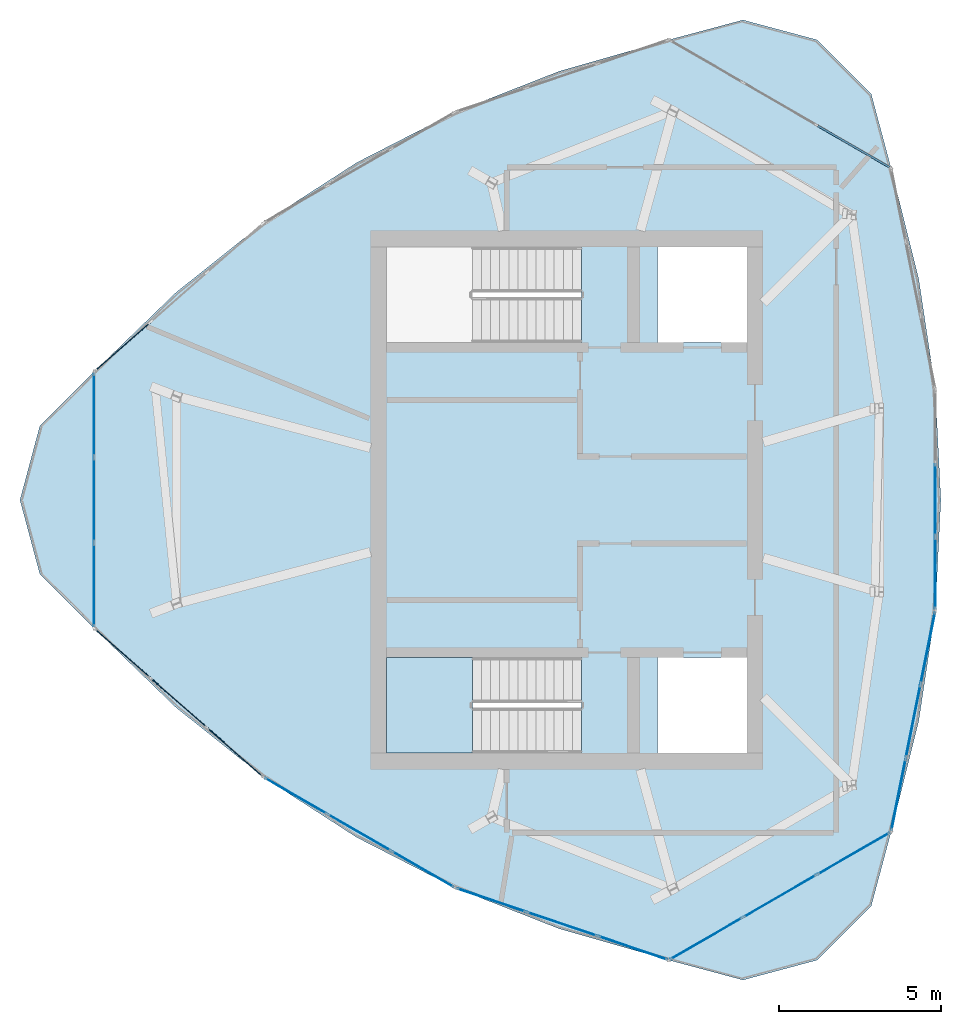
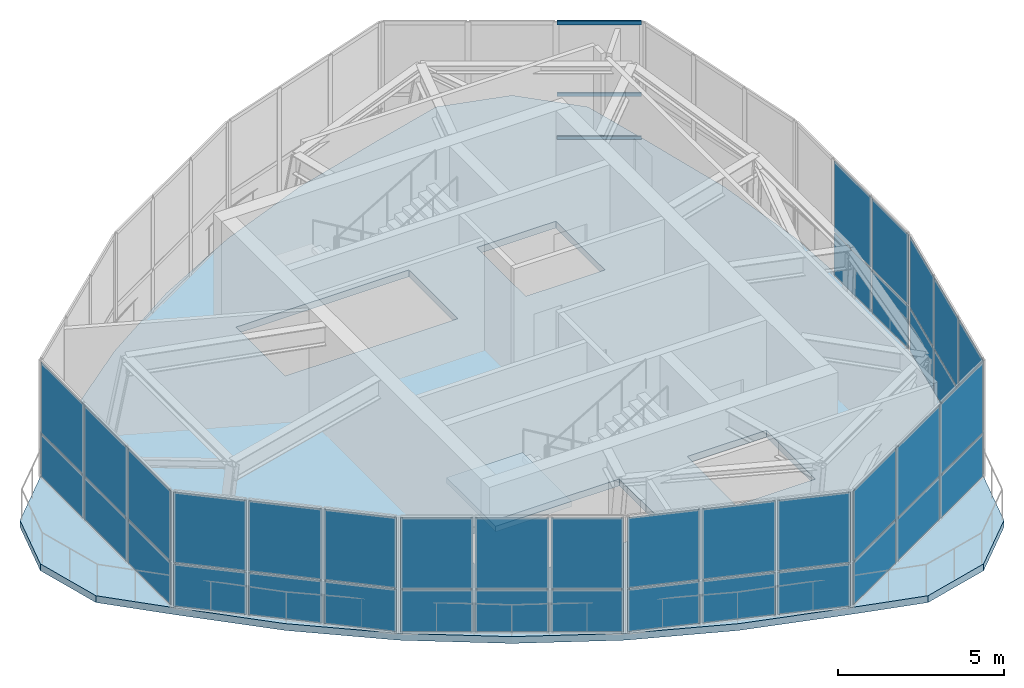
# One storey, part 5 of 9: 41 plates, 3 members, 2 slabs, 10 elements without a shape of their own.
"""IFC4 building model written with IfcOpenShell, lengths in metres."""

from ifc_helpers import new_model, si_unit, direction, frame, origin, origin_2d, place, context, subcontext, project, spatial, polyline, rectangle, outline, extrude, source, transform, mapped, material, layer, layer_set, material_profile, profile_set, type_object, element, aggregate, save


model = new_model("IFC4")

# Units and contexts
model_context = context("Model", 3, precision=1e-05, world=origin(), true_north=direction((0.0, 1.0)))
body_context = subcontext(model_context, "Body", "Model", "MODEL_VIEW")
ifc_project = project(units=[si_unit("LENGTHUNIT", "METRE"), si_unit("AREAUNIT", "SQUARE_METRE"), si_unit("VOLUMEUNIT", "CUBIC_METRE"), si_unit("PLANEANGLEUNIT", "RADIAN"), si_unit("MASSUNIT", "GRAM", prefix="KILO")], contexts=[model_context])

# Site, building, storey
site_placement = place(None, origin())
site = spatial("IfcSite", under=ifc_project, at=site_placement, CompositionType="ELEMENT")
building_placement = place(site_placement, origin())
building = spatial("IfcBuilding", under=site, at=building_placement, Name="Qafzar Sky-Pleat Residences", CompositionType="ELEMENT")
storey_placement = place(building_placement, frame((0.0, 0.0, 266.10009765625)))
storey = spatial("IfcBuildingStorey", under=building, at=storey_placement, Name="L79 Crown", CompositionType="ELEMENT", Elevation=266.10009765625)

# Curtain wall, members
ifc_material_1 = material(Name="Anodised bronze aluminium framing", Category="aluminium")
ifc_layer_1 = layer(ifc_material_1, 0.179931640625)
ifc_layer_set_1 = layer_set([ifc_layer_1], Name="Anodised bronze aluminium framing")
curtain_wall_type = type_object("IfcCurtainWallType", Name="CW-SYS-06", PredefinedType="NOTDEFINED", material=ifc_layer_set_1)
curtain_wall_1_placement = place(storey_placement, origin())
curtain_wall_1 = element("IfcCurtainWall", 1, at=curtain_wall_1_placement, inside=storey, type_object=curtain_wall_type, Name="L79 Crown CW-06 Curtain Wall CW-CROWN-04-09", PredefinedType="NOTDEFINED")
ifc_material_2 = material(Name="Anodised bronze aluminium", Category="aluminium")
ifc_material_profile = material_profile(ifc_material_2, rectangle(XDim=0.06005859375, YDim=0.135009765625, at=origin_2d()), Name="ALU TRANSOM 60x135")
ifc_profile_set = profile_set([ifc_material_profile], Name="Anodised bronze aluminium")
member_type = type_object("IfcMemberType", Name="CWT-06", PredefinedType="USERDEFINED", material=ifc_profile_set)
shared_shape_1 = source(origin(), body_context, "Body", "SweptSolid", [
    extrude(rectangle(XDim=0.06005859375, YDim=0.135009765625, at=origin_2d()), origin(), (0.0, 0.0, 1.0), 2.544189453125),
])
member_1_placement = place(storey_placement, frame((40.2861328125, 36.2548828125, 0.02978515625), z_axis=(-0.866049759928, 0.499957811549, 0.0), x_axis=(-0.499957811549, -0.866049759928, 0.0)))
member_1 = element("IfcMember", 2, at=member_1_placement, type_object=member_type, Name="CW-06 transom 1.1", ObjectType="TRANSOM", PredefinedType="USERDEFINED", context=body_context, shape_type="MappedRepresentation", body=[
    mapped(shared_shape_1, transform((0.0, 0.0, 0.0), x_axis=(1.0, 0.0, 0.0), y_axis=(0.0, 1.0, 0.0), z_axis=(0.0, 0.0, 1.0), scale=1.0)),
])
member_2_placement = place(storey_placement, frame((40.2861328125, 36.2548828125, 1.6337890625), z_axis=(-0.866049759928, 0.499957811549, 0.0), x_axis=(-0.499957811549, -0.866049759928, 0.0)))
member_2 = element("IfcMember", 3, at=member_2_placement, type_object=member_type, Name="CW-06 transom 1.2", ObjectType="TRANSOM", PredefinedType="USERDEFINED", context=body_context, shape_type="MappedRepresentation", body=[
    mapped(shared_shape_1, transform((0.0, 0.0, 0.0), x_axis=(1.0, 0.0, 0.0), y_axis=(0.0, 1.0, 0.0), z_axis=(0.0, 0.0, 1.0), scale=1.0)),
])
member_3_placement = place(storey_placement, frame((40.2861328125, 36.2548828125, 4.27001953125), z_axis=(-0.866049759928, 0.499957811549, 0.0), x_axis=(-0.499957811549, -0.866049759928, 0.0)))
member_3 = element("IfcMember", 4, at=member_3_placement, type_object=member_type, Name="CW-06 transom 1.3", ObjectType="TRANSOM", PredefinedType="USERDEFINED", context=body_context, shape_type="MappedRepresentation", body=[
    mapped(shared_shape_1, transform((0.0, 0.0, 0.0), x_axis=(1.0, 0.0, 0.0), y_axis=(0.0, 1.0, 0.0), z_axis=(0.0, 0.0, 1.0), scale=1.0)),
])
aggregate(curtain_wall_1, [member_1, member_2, member_3])

# Slab
ifc_material_3 = material(Name="Concrete C40/50", Category="concrete")
ifc_layer_2 = layer(ifc_material_3, 0.25)
ifc_layer_set_2 = layer_set([ifc_layer_2], Name="Concrete C40/50")
slab_type_1 = type_object("IfcSlabType", Name="SLAB-FLR-250", PredefinedType="FLOOR", material=ifc_layer_set_2)
slab_1_placement = place(storey_placement, frame((0.0, 0.0, -0.25)))
element("IfcSlab", 5, at=slab_1_placement, inside=storey, type_object=slab_type_1, Name="L79 Crown Crown Plant Floor Slab", PredefinedType="FLOOR", context=body_context, shape_type="SweptSolid", body=[
    extrude(outline(polyline([(15.783935546875, 29.951416015625), (14.114013671875, 28.28125), (13.502685546875, 26.0), (14.114013671875, 23.71875), (15.783935546875, 22.048583984375), (18.309814453125, 19.606689453125), (21.005615234375, 17.459716796875), (23.8720703125, 15.60791015625), (26.908935546875, 14.051513671875), (30.1162109375, 12.7900390625), (33.493896484375, 11.82373046875), (35.775390625, 11.21240234375), (38.056640625, 11.82373046875), (39.726806640625, 13.493896484375), (40.337890625, 15.775146484375), (41.18994140625, 19.183349609375), (41.701416015625, 22.591796875), (41.87158203125, 26.0), (41.701416015625, 29.408203125), (41.18994140625, 32.816650390625), (40.337890625, 36.224853515625), (39.726806640625, 38.506103515625), (38.056640625, 40.17626953125), (35.775390625, 40.78759765625), (33.493896484375, 40.17626953125), (30.1162109375, 39.2099609375), (26.908935546875, 37.948486328125), (23.8720703125, 36.39208984375), (21.005615234375, 34.540283203125), (18.309814453125, 32.393310546875), (15.783935546875, 29.951416015625)]), holes=[polyline([(30.797119140625, 21.14990234375), (24.800048828125, 21.14990234375), (24.800048828125, 18.199951171875), (30.797119140625, 18.199951171875), (30.797119140625, 21.14990234375)]), polyline([(30.797119140625, 33.800048828125), (24.800048828125, 33.800048828125), (24.800048828125, 30.85009765625), (30.797119140625, 30.85009765625), (30.797119140625, 33.800048828125)]), polyline([(33.14990234375, 18.199951171875), (35.89990234375, 18.199951171875), (35.89990234375, 21.14990234375), (33.14990234375, 21.14990234375), (33.14990234375, 18.199951171875)]), polyline([(33.14990234375, 30.85009765625), (35.89990234375, 30.85009765625), (35.89990234375, 33.800048828125), (33.14990234375, 33.800048828125), (33.14990234375, 30.85009765625)])]), origin(), (0.0, 0.0, 1.0), 0.25),
])

# Stair, slab
stair_type = type_object("IfcStairType", Name="STAIR-H430", PredefinedType="HALF_TURN_STAIR", material=ifc_material_3)
stair_placement = place(storey_placement, origin())
stair = element("IfcStair", 6, at=stair_placement, inside=storey, type_object=stair_type, Name="L79 Crown Protected Exit Stair ST1", PredefinedType="HALF_TURN_STAIR")
ifc_layer_3 = layer(ifc_material_3, 0.199951171875)
ifc_layer_set_3 = layer_set([ifc_layer_3], Name="Concrete C40/50")
slab_type_2 = type_object("IfcSlabType", Name="SLAB-LANDING-200", PredefinedType="LANDING", material=ifc_layer_set_3)
slab_2_placement = place(storey_placement, frame((0.0, 0.0, 1.949951171875)))
slab_2 = element("IfcSlab", 7, at=slab_2_placement, type_object=slab_type_2, Name="ST1 landing 1", PredefinedType="LANDING", context=body_context, shape_type="SweptSolid", body=[
    extrude(outline(polyline([(27.43994140625, 21.14990234375), (24.800048828125, 21.14990234375), (24.800048828125, 18.199951171875), (27.43994140625, 18.199951171875), (27.43994140625, 21.14990234375)])), origin(), (0.0, 0.0, 1.0), 0.199951171875),
])
aggregate(stair, [slab_2])

# Curtain wall, plates
curtain_wall_2_placement = place(storey_placement, origin())
curtain_wall_2 = element("IfcCurtainWall", 8, at=curtain_wall_2_placement, inside=storey, type_object=curtain_wall_type, Name="L79 Crown CW-06 Curtain Wall CW-CROWN-04-01", PredefinedType="NOTDEFINED")
ifc_material_4 = material(Name="Solar-control double low-E glazing", Category="glass")
ifc_layer_4 = layer(ifc_material_4, 0.02587890625)
ifc_layer_set_4 = layer_set([ifc_layer_4], Name="Solar-control double low-E glazing")
plate_type = type_object("IfcPlateType", Name="CWP-06", PredefinedType="CURTAIN_PANEL", material=ifc_layer_set_4)
shared_shape_2 = source(origin(), body_context, "Body", "SweptSolid", [
    extrude(rectangle(XDim=2.544189453125, YDim=0.02587890625, at=origin_2d()), origin(), (0.0, 0.0, 1.0), 1.5439453125),
])
plate_1_placement = place(storey_placement, frame((15.783935546875, 28.619384765625, 0.059814453125), z_axis=(0.0, 0.0, 1.0), x_axis=(0.0, -1.0, 0.0)))
plate_1 = element("IfcPlate", 9, at=plate_1_placement, type_object=plate_type, Name="CW-06 panel 1.1", PredefinedType="CURTAIN_PANEL", context=body_context, shape_type="MappedRepresentation", body=[
    mapped(shared_shape_2, transform((0.0, 0.0, 0.0), x_axis=(1.0, 0.0, 0.0), y_axis=(0.0, 1.0, 0.0), z_axis=(0.0, 0.0, 1.0), scale=1.0)),
])
plate_2_placement = place(storey_placement, frame((15.783935546875, 23.380615234375, 0.059814453125), z_axis=(0.0, 0.0, 1.0), x_axis=(0.0, -1.0, 0.0)))
plate_2 = element("IfcPlate", 10, at=plate_2_placement, type_object=plate_type, Name="CW-06 panel 3.1", PredefinedType="CURTAIN_PANEL", context=body_context, shape_type="MappedRepresentation", body=[
    mapped(shared_shape_2, transform((0.0, 0.0, 0.0), x_axis=(1.0, 0.0, 0.0), y_axis=(0.0, 1.0, 0.0), z_axis=(0.0, 0.0, 1.0), scale=1.0)),
])

curtain_wall_3_placement = place(storey_placement, origin())
curtain_wall_3 = element("IfcCurtainWall", 11, at=curtain_wall_3_placement, inside=storey, type_object=curtain_wall_type, Name="L79 Crown CW-06 Curtain Wall CW-CROWN-04-05", PredefinedType="NOTDEFINED")
plate_3_placement = place(storey_placement, frame((34.647705078125, 12.48974609375, 0.059814453125), z_axis=(0.0, 0.0, 1.0), x_axis=(0.866024595172, 0.500001400555, 0.0)))
plate_3 = element("IfcPlate", 12, at=plate_3_placement, type_object=plate_type, Name="CW-06 panel 1.1", PredefinedType="CURTAIN_PANEL", context=body_context, shape_type="MappedRepresentation", body=[
    mapped(shared_shape_2, transform((0.0, 0.0, 0.0), x_axis=(1.0, 0.0, 0.0), y_axis=(0.0, 1.0, 0.0), z_axis=(0.0, 0.0, 1.0), scale=1.0)),
])
plate_4_placement = place(storey_placement, frame((39.184326171875, 15.109130859375, 0.059814453125), z_axis=(0.0, 0.0, 1.0), x_axis=(0.866024595172, 0.500001400555, 0.0)))
plate_4 = element("IfcPlate", 13, at=plate_4_placement, type_object=plate_type, Name="CW-06 panel 3.1", PredefinedType="CURTAIN_PANEL", context=body_context, shape_type="MappedRepresentation", body=[
    mapped(shared_shape_2, transform((0.0, 0.0, 0.0), x_axis=(1.0, 0.0, 0.0), y_axis=(0.0, 1.0, 0.0), z_axis=(0.0, 0.0, 1.0), scale=1.0)),
])

# Plate
shared_shape_3 = source(origin(), body_context, "Body", "SweptSolid", [
    extrude(rectangle(XDim=2.544189453125, YDim=0.02587890625, at=origin_2d()), origin(), (0.0, 0.0, 1.0), 2.575927734375),
])
plate_5_placement = place(storey_placement, frame((15.783935546875, 28.619384765625, 1.6640625), z_axis=(0.0, 0.0, 1.0), x_axis=(0.0, -1.0, 0.0)))
plate_5 = element("IfcPlate", 14, at=plate_5_placement, type_object=plate_type, Name="CW-06 panel 1.2", PredefinedType="CURTAIN_PANEL", context=body_context, shape_type="MappedRepresentation", body=[
    mapped(shared_shape_3, transform((0.0, 0.0, 0.0), x_axis=(1.0, 0.0, 0.0), y_axis=(0.0, 1.0, 0.0), z_axis=(0.0, 0.0, 1.0), scale=1.0)),
])

plate_6_placement = place(storey_placement, frame((15.783935546875, 23.380615234375, 1.6640625), z_axis=(0.0, 0.0, 1.0), x_axis=(0.0, -1.0, 0.0)))
plate_6 = element("IfcPlate", 15, at=plate_6_placement, type_object=plate_type, Name="CW-06 panel 3.2", PredefinedType="CURTAIN_PANEL", context=body_context, shape_type="MappedRepresentation", body=[
    mapped(shared_shape_3, transform((0.0, 0.0, 0.0), x_axis=(1.0, 0.0, 0.0), y_axis=(0.0, 1.0, 0.0), z_axis=(0.0, 0.0, 1.0), scale=1.0)),
])

plate_7_placement = place(storey_placement, frame((34.647705078125, 12.48974609375, 1.6640625), z_axis=(0.0, 0.0, 1.0), x_axis=(0.866024595172, 0.500001400555, 0.0)))
plate_7 = element("IfcPlate", 16, at=plate_7_placement, type_object=plate_type, Name="CW-06 panel 1.2", PredefinedType="CURTAIN_PANEL", context=body_context, shape_type="MappedRepresentation", body=[
    mapped(shared_shape_3, transform((0.0, 0.0, 0.0), x_axis=(1.0, 0.0, 0.0), y_axis=(0.0, 1.0, 0.0), z_axis=(0.0, 0.0, 1.0), scale=1.0)),
])

plate_8_placement = place(storey_placement, frame((39.184326171875, 15.109130859375, 1.6640625), z_axis=(0.0, 0.0, 1.0), x_axis=(0.866024595172, 0.500001400555, 0.0)))
plate_8 = element("IfcPlate", 17, at=plate_8_placement, type_object=plate_type, Name="CW-06 panel 3.2", PredefinedType="CURTAIN_PANEL", context=body_context, shape_type="MappedRepresentation", body=[
    mapped(shared_shape_3, transform((0.0, 0.0, 0.0), x_axis=(1.0, 0.0, 0.0), y_axis=(0.0, 1.0, 0.0), z_axis=(0.0, 0.0, 1.0), scale=1.0)),
])

shared_shape_4 = source(origin(), body_context, "Body", "SweptSolid", [
    extrude(rectangle(XDim=2.57421875, YDim=0.02587890625, at=origin_2d()), origin(), (0.0, 0.0, 1.0), 1.5439453125),
])
plate_9_placement = place(storey_placement, frame((15.783935546875, 26.0, 0.059814453125), z_axis=(0.0, 0.0, 1.0), x_axis=(0.0, -1.0, 0.0)))
plate_9 = element("IfcPlate", 18, at=plate_9_placement, type_object=plate_type, Name="CW-06 panel 2.1", PredefinedType="CURTAIN_PANEL", context=body_context, shape_type="MappedRepresentation", body=[
    mapped(shared_shape_4, transform((0.0, 0.0, 0.0), x_axis=(1.0, 0.0, 0.0), y_axis=(0.0, 1.0, 0.0), z_axis=(0.0, 0.0, 1.0), scale=1.0)),
])

plate_10_placement = place(storey_placement, frame((36.916015625, 13.799560546875, 0.059814453125), z_axis=(0.0, 0.0, 1.0), x_axis=(0.866024595172, 0.500001400555, 0.0)))
plate_10 = element("IfcPlate", 19, at=plate_10_placement, type_object=plate_type, Name="CW-06 panel 2.1", PredefinedType="CURTAIN_PANEL", context=body_context, shape_type="MappedRepresentation", body=[
    mapped(shared_shape_4, transform((0.0, 0.0, 0.0), x_axis=(1.0, 0.0, 0.0), y_axis=(0.0, 1.0, 0.0), z_axis=(0.0, 0.0, 1.0), scale=1.0)),
])

shared_shape_5 = source(origin(), body_context, "Body", "SweptSolid", [
    extrude(rectangle(XDim=2.57421875, YDim=0.02587890625, at=origin_2d()), origin(), (0.0, 0.0, 1.0), 2.575927734375),
])
plate_11_placement = place(storey_placement, frame((15.783935546875, 26.0, 1.6640625), z_axis=(0.0, 0.0, 1.0), x_axis=(0.0, -1.0, 0.0)))
plate_11 = element("IfcPlate", 20, at=plate_11_placement, type_object=plate_type, Name="CW-06 panel 2.2", PredefinedType="CURTAIN_PANEL", context=body_context, shape_type="MappedRepresentation", body=[
    mapped(shared_shape_5, transform((0.0, 0.0, 0.0), x_axis=(1.0, 0.0, 0.0), y_axis=(0.0, 1.0, 0.0), z_axis=(0.0, 0.0, 1.0), scale=1.0)),
])

aggregate(curtain_wall_2, [plate_1, plate_5, plate_9, plate_11, plate_2, plate_6])

plate_12_placement = place(storey_placement, frame((36.916015625, 13.799560546875, 1.6640625), z_axis=(0.0, 0.0, 1.0), x_axis=(0.866024595172, 0.500001400555, 0.0)))
plate_12 = element("IfcPlate", 21, at=plate_12_placement, type_object=plate_type, Name="CW-06 panel 2.2", PredefinedType="CURTAIN_PANEL", context=body_context, shape_type="MappedRepresentation", body=[
    mapped(shared_shape_5, transform((0.0, 0.0, 0.0), x_axis=(1.0, 0.0, 0.0), y_axis=(0.0, 1.0, 0.0), z_axis=(0.0, 0.0, 1.0), scale=1.0)),
])

aggregate(curtain_wall_3, [plate_3, plate_7, plate_10, plate_12, plate_4, plate_8])

# Curtain wall, plates
curtain_wall_4_placement = place(storey_placement, origin())
curtain_wall_4 = element("IfcCurtainWall", 22, at=curtain_wall_4_placement, inside=storey, type_object=curtain_wall_type, Name="L79 Crown CW-06 Curtain Wall CW-CROWN-04-02", PredefinedType="NOTDEFINED")
shared_shape_6 = source(origin(), body_context, "Body", "SweptSolid", [
    extrude(rectangle(XDim=2.227294921875, YDim=0.02587890625, at=origin_2d()), origin(), (0.0, 0.0, 1.0), 1.5439453125),
])
plate_13_placement = place(storey_placement, frame((16.66552734375, 21.27392578125, 0.059814453125), z_axis=(0.0, 0.0, 1.0), x_axis=(0.751155387696, -0.660125430154, 0.0)))
plate_13 = element("IfcPlate", 23, at=plate_13_placement, type_object=plate_type, Name="CW-06 panel 1.1", PredefinedType="CURTAIN_PANEL", context=body_context, shape_type="MappedRepresentation", body=[
    mapped(shared_shape_6, transform((0.0, 0.0, 0.0), x_axis=(1.0, 0.0, 0.0), y_axis=(0.0, 1.0, 0.0), z_axis=(0.0, 0.0, 1.0), scale=1.0)),
])
plate_14_placement = place(storey_placement, frame((20.124267578125, 18.234375, 0.059814453125), z_axis=(0.0, 0.0, 1.0), x_axis=(0.751155387696, -0.660125430154, 0.0)))
plate_14 = element("IfcPlate", 24, at=plate_14_placement, type_object=plate_type, Name="CW-06 panel 3.1", PredefinedType="CURTAIN_PANEL", context=body_context, shape_type="MappedRepresentation", body=[
    mapped(shared_shape_6, transform((0.0, 0.0, 0.0), x_axis=(1.0, 0.0, 0.0), y_axis=(0.0, 1.0, 0.0), z_axis=(0.0, 0.0, 1.0), scale=1.0)),
])

curtain_wall_5_placement = place(storey_placement, origin())
curtain_wall_5 = element("IfcCurtainWall", 25, at=curtain_wall_5_placement, inside=storey, type_object=curtain_wall_type, Name="L79 Crown CW-06 Curtain Wall CW-CROWN-04-04", PredefinedType="NOTDEFINED")
plate_15_placement = place(storey_placement, frame((28.020751953125, 13.67529296875, 0.059814453125), z_axis=(0.0, 0.0, 1.0), x_axis=(0.947267034417, -0.320445261328, 0.0)))
plate_15 = element("IfcPlate", 26, at=plate_15_placement, type_object=plate_type, Name="CW-06 panel 1.1", PredefinedType="CURTAIN_PANEL", context=body_context, shape_type="MappedRepresentation", body=[
    mapped(shared_shape_6, transform((0.0, 0.0, 0.0), x_axis=(1.0, 0.0, 0.0), y_axis=(0.0, 1.0, 0.0), z_axis=(0.0, 0.0, 1.0), scale=1.0)),
])
plate_16_placement = place(storey_placement, frame((32.38232421875, 12.199951171875, 0.059814453125), z_axis=(0.0, 0.0, 1.0), x_axis=(0.947267034417, -0.320445261328, 0.0)))
plate_16 = element("IfcPlate", 27, at=plate_16_placement, type_object=plate_type, Name="CW-06 panel 3.1", PredefinedType="CURTAIN_PANEL", context=body_context, shape_type="MappedRepresentation", body=[
    mapped(shared_shape_6, transform((0.0, 0.0, 0.0), x_axis=(1.0, 0.0, 0.0), y_axis=(0.0, 1.0, 0.0), z_axis=(0.0, 0.0, 1.0), scale=1.0)),
])

# Curtain wall, plate
curtain_wall_6_placement = place(storey_placement, origin())
curtain_wall_6 = element("IfcCurtainWall", 28, at=curtain_wall_6_placement, inside=storey, type_object=curtain_wall_type, Name="L79 Crown CW-06 Curtain Wall CW-CROWN-04-12", PredefinedType="NOTDEFINED")
plate_17_placement = place(storey_placement, frame((16.66552734375, 30.72607421875, 0.059814453125), z_axis=(0.0, 0.0, 1.0), x_axis=(-0.751155387696, -0.660125430154, 0.0)))
plate_17 = element("IfcPlate", 29, at=plate_17_placement, type_object=plate_type, Name="CW-06 panel 3.1", PredefinedType="CURTAIN_PANEL", context=body_context, shape_type="MappedRepresentation", body=[
    mapped(shared_shape_6, transform((0.0, 0.0, 0.0), x_axis=(1.0, 0.0, 0.0), y_axis=(0.0, 1.0, 0.0), z_axis=(0.0, 0.0, 1.0), scale=1.0)),
])
aggregate(curtain_wall_6, [plate_17])

# Plate
shared_shape_7 = source(origin(), body_context, "Body", "SweptSolid", [
    extrude(rectangle(XDim=2.227294921875, YDim=0.02587890625, at=origin_2d()), origin(), (0.0, 0.0, 1.0), 2.575927734375),
])
plate_18_placement = place(storey_placement, frame((16.66552734375, 21.27392578125, 1.6640625), z_axis=(0.0, 0.0, 1.0), x_axis=(0.751155387696, -0.660125430154, 0.0)))
plate_18 = element("IfcPlate", 30, at=plate_18_placement, type_object=plate_type, Name="CW-06 panel 1.2", PredefinedType="CURTAIN_PANEL", context=body_context, shape_type="MappedRepresentation", body=[
    mapped(shared_shape_7, transform((0.0, 0.0, 0.0), x_axis=(1.0, 0.0, 0.0), y_axis=(0.0, 1.0, 0.0), z_axis=(0.0, 0.0, 1.0), scale=1.0)),
])

plate_19_placement = place(storey_placement, frame((20.124267578125, 18.234375, 1.6640625), z_axis=(0.0, 0.0, 1.0), x_axis=(0.751155387696, -0.660125430154, 0.0)))
plate_19 = element("IfcPlate", 31, at=plate_19_placement, type_object=plate_type, Name="CW-06 panel 3.2", PredefinedType="CURTAIN_PANEL", context=body_context, shape_type="MappedRepresentation", body=[
    mapped(shared_shape_7, transform((0.0, 0.0, 0.0), x_axis=(1.0, 0.0, 0.0), y_axis=(0.0, 1.0, 0.0), z_axis=(0.0, 0.0, 1.0), scale=1.0)),
])

plate_20_placement = place(storey_placement, frame((28.020751953125, 13.67529296875, 1.6640625), z_axis=(0.0, 0.0, 1.0), x_axis=(0.947267034417, -0.320445261328, 0.0)))
plate_20 = element("IfcPlate", 32, at=plate_20_placement, type_object=plate_type, Name="CW-06 panel 1.2", PredefinedType="CURTAIN_PANEL", context=body_context, shape_type="MappedRepresentation", body=[
    mapped(shared_shape_7, transform((0.0, 0.0, 0.0), x_axis=(1.0, 0.0, 0.0), y_axis=(0.0, 1.0, 0.0), z_axis=(0.0, 0.0, 1.0), scale=1.0)),
])

plate_21_placement = place(storey_placement, frame((32.38232421875, 12.199951171875, 1.6640625), z_axis=(0.0, 0.0, 1.0), x_axis=(0.947267034417, -0.320445261328, 0.0)))
plate_21 = element("IfcPlate", 33, at=plate_21_placement, type_object=plate_type, Name="CW-06 panel 3.2", PredefinedType="CURTAIN_PANEL", context=body_context, shape_type="MappedRepresentation", body=[
    mapped(shared_shape_7, transform((0.0, 0.0, 0.0), x_axis=(1.0, 0.0, 0.0), y_axis=(0.0, 1.0, 0.0), z_axis=(0.0, 0.0, 1.0), scale=1.0)),
])

shared_shape_8 = source(origin(), body_context, "Body", "SweptSolid", [
    extrude(rectangle(XDim=2.257080078125, YDim=0.02587890625, at=origin_2d()), origin(), (0.0, 0.0, 1.0), 1.5439453125),
])
plate_22_placement = place(storey_placement, frame((18.394775390625, 19.754150390625, 0.059814453125), z_axis=(0.0, 0.0, 1.0), x_axis=(0.751155387696, -0.660125430154, 0.0)))
plate_22 = element("IfcPlate", 34, at=plate_22_placement, type_object=plate_type, Name="CW-06 panel 2.1", PredefinedType="CURTAIN_PANEL", context=body_context, shape_type="MappedRepresentation", body=[
    mapped(shared_shape_8, transform((0.0, 0.0, 0.0), x_axis=(1.0, 0.0, 0.0), y_axis=(0.0, 1.0, 0.0), z_axis=(0.0, 0.0, 1.0), scale=1.0)),
])

plate_23_placement = place(storey_placement, frame((30.201416015625, 12.9375, 0.059814453125), z_axis=(0.0, 0.0, 1.0), x_axis=(0.947267034417, -0.320445261328, 0.0)))
plate_23 = element("IfcPlate", 35, at=plate_23_placement, type_object=plate_type, Name="CW-06 panel 2.1", PredefinedType="CURTAIN_PANEL", context=body_context, shape_type="MappedRepresentation", body=[
    mapped(shared_shape_8, transform((0.0, 0.0, 0.0), x_axis=(1.0, 0.0, 0.0), y_axis=(0.0, 1.0, 0.0), z_axis=(0.0, 0.0, 1.0), scale=1.0)),
])

# Curtain wall, plate
curtain_wall_7_placement = place(storey_placement, origin())
curtain_wall_7 = element("IfcCurtainWall", 36, at=curtain_wall_7_placement, inside=storey, type_object=curtain_wall_type, Name="L79 Crown CW-06 Curtain Wall CW-CROWN-04-06", PredefinedType="NOTDEFINED")
plate_24_placement = place(storey_placement, frame((41.01953125, 19.183349609375, 0.059814453125), z_axis=(0.0, 0.0, 1.0), x_axis=(0.196116135138, 0.980580675691, 0.0)))
plate_24 = element("IfcPlate", 37, at=plate_24_placement, type_object=plate_type, Name="CW-06 panel 2.1", PredefinedType="CURTAIN_PANEL", context=body_context, shape_type="MappedRepresentation", body=[
    mapped(shared_shape_8, transform((0.0, 0.0, 0.0), x_axis=(1.0, 0.0, 0.0), y_axis=(0.0, 1.0, 0.0), z_axis=(0.0, 0.0, 1.0), scale=1.0)),
])

# Plate
shared_shape_9 = source(origin(), body_context, "Body", "SweptSolid", [
    extrude(rectangle(XDim=2.257080078125, YDim=0.02587890625, at=origin_2d()), origin(), (0.0, 0.0, 1.0), 2.575927734375),
])
plate_25_placement = place(storey_placement, frame((18.394775390625, 19.754150390625, 1.6640625), z_axis=(0.0, 0.0, 1.0), x_axis=(0.751155387696, -0.660125430154, 0.0)))
plate_25 = element("IfcPlate", 38, at=plate_25_placement, type_object=plate_type, Name="CW-06 panel 2.2", PredefinedType="CURTAIN_PANEL", context=body_context, shape_type="MappedRepresentation", body=[
    mapped(shared_shape_9, transform((0.0, 0.0, 0.0), x_axis=(1.0, 0.0, 0.0), y_axis=(0.0, 1.0, 0.0), z_axis=(0.0, 0.0, 1.0), scale=1.0)),
])

aggregate(curtain_wall_4, [plate_13, plate_18, plate_22, plate_25, plate_14, plate_19])

plate_26_placement = place(storey_placement, frame((30.201416015625, 12.9375, 1.6640625), z_axis=(0.0, 0.0, 1.0), x_axis=(0.947267034417, -0.320445261328, 0.0)))
plate_26 = element("IfcPlate", 39, at=plate_26_placement, type_object=plate_type, Name="CW-06 panel 2.2", PredefinedType="CURTAIN_PANEL", context=body_context, shape_type="MappedRepresentation", body=[
    mapped(shared_shape_9, transform((0.0, 0.0, 0.0), x_axis=(1.0, 0.0, 0.0), y_axis=(0.0, 1.0, 0.0), z_axis=(0.0, 0.0, 1.0), scale=1.0)),
])

aggregate(curtain_wall_5, [plate_15, plate_20, plate_23, plate_26, plate_16, plate_21])

plate_27_placement = place(storey_placement, frame((41.01953125, 19.183349609375, 1.6640625), z_axis=(0.0, 0.0, 1.0), x_axis=(0.196116135138, 0.980580675691, 0.0)))
plate_27 = element("IfcPlate", 40, at=plate_27_placement, type_object=plate_type, Name="CW-06 panel 2.2", PredefinedType="CURTAIN_PANEL", context=body_context, shape_type="MappedRepresentation", body=[
    mapped(shared_shape_9, transform((0.0, 0.0, 0.0), x_axis=(1.0, 0.0, 0.0), y_axis=(0.0, 1.0, 0.0), z_axis=(0.0, 0.0, 1.0), scale=1.0)),
])

# Curtain wall, plates
curtain_wall_8_placement = place(storey_placement, origin())
curtain_wall_8 = element("IfcCurtainWall", 41, at=curtain_wall_8_placement, inside=storey, type_object=curtain_wall_type, Name="L79 Crown CW-06 Curtain Wall CW-CROWN-04-03", PredefinedType="NOTDEFINED")
shared_shape_10 = source(origin(), body_context, "Body", "SweptSolid", [
    extrude(rectangle(XDim=2.18212890625, YDim=0.02587890625, at=origin_2d()), origin(), (0.0, 0.0, 1.0), 1.5439453125),
])
plate_28_placement = place(storey_placement, frame((22.002685546875, 16.884033203125, 0.059814453125), z_axis=(0.0, 0.0, 1.0), x_axis=(0.866023615218, -0.500003097875, 0.0)))
plate_28 = element("IfcPlate", 42, at=plate_28_placement, type_object=plate_type, Name="CW-06 panel 1.1", PredefinedType="CURTAIN_PANEL", context=body_context, shape_type="MappedRepresentation", body=[
    mapped(shared_shape_10, transform((0.0, 0.0, 0.0), x_axis=(1.0, 0.0, 0.0), y_axis=(0.0, 1.0, 0.0), z_axis=(0.0, 0.0, 1.0), scale=1.0)),
])
plate_29_placement = place(storey_placement, frame((25.912109375, 14.626953125, 0.059814453125), z_axis=(0.0, 0.0, 1.0), x_axis=(0.866023615218, -0.500003097875, 0.0)))
plate_29 = element("IfcPlate", 43, at=plate_29_placement, type_object=plate_type, Name="CW-06 panel 3.1", PredefinedType="CURTAIN_PANEL", context=body_context, shape_type="MappedRepresentation", body=[
    mapped(shared_shape_10, transform((0.0, 0.0, 0.0), x_axis=(1.0, 0.0, 0.0), y_axis=(0.0, 1.0, 0.0), z_axis=(0.0, 0.0, 1.0), scale=1.0)),
])

# Curtain wall, plate
curtain_wall_9_placement = place(storey_placement, origin())
curtain_wall_9 = element("IfcCurtainWall", 44, at=curtain_wall_9_placement, inside=storey, type_object=curtain_wall_type, Name="L79 Crown CW-06 Curtain Wall CW-CROWN-04-07", PredefinedType="NOTDEFINED")
plate_30_placement = place(storey_placement, frame((41.701416015625, 23.742919921875, 0.059814453125), z_axis=(0.0, 0.0, 1.0), x_axis=(0.0, 1.0, 0.0)))
plate_30 = element("IfcPlate", 45, at=plate_30_placement, type_object=plate_type, Name="CW-06 panel 1.1", PredefinedType="CURTAIN_PANEL", context=body_context, shape_type="MappedRepresentation", body=[
    mapped(shared_shape_10, transform((0.0, 0.0, 0.0), x_axis=(1.0, 0.0, 0.0), y_axis=(0.0, 1.0, 0.0), z_axis=(0.0, 0.0, 1.0), scale=1.0)),
])

# Plate
shared_shape_11 = source(origin(), body_context, "Body", "SweptSolid", [
    extrude(rectangle(XDim=2.18212890625, YDim=0.02587890625, at=origin_2d()), origin(), (0.0, 0.0, 1.0), 2.575927734375),
])
plate_31_placement = place(storey_placement, frame((22.002685546875, 16.884033203125, 1.6640625), z_axis=(0.0, 0.0, 1.0), x_axis=(0.866023615218, -0.500003097875, 0.0)))
plate_31 = element("IfcPlate", 46, at=plate_31_placement, type_object=plate_type, Name="CW-06 panel 1.2", PredefinedType="CURTAIN_PANEL", context=body_context, shape_type="MappedRepresentation", body=[
    mapped(shared_shape_11, transform((0.0, 0.0, 0.0), x_axis=(1.0, 0.0, 0.0), y_axis=(0.0, 1.0, 0.0), z_axis=(0.0, 0.0, 1.0), scale=1.0)),
])

plate_32_placement = place(storey_placement, frame((25.912109375, 14.626953125, 1.6640625), z_axis=(0.0, 0.0, 1.0), x_axis=(0.866023615218, -0.500003097875, 0.0)))
plate_32 = element("IfcPlate", 47, at=plate_32_placement, type_object=plate_type, Name="CW-06 panel 3.2", PredefinedType="CURTAIN_PANEL", context=body_context, shape_type="MappedRepresentation", body=[
    mapped(shared_shape_11, transform((0.0, 0.0, 0.0), x_axis=(1.0, 0.0, 0.0), y_axis=(0.0, 1.0, 0.0), z_axis=(0.0, 0.0, 1.0), scale=1.0)),
])

plate_33_placement = place(storey_placement, frame((41.701416015625, 23.742919921875, 1.6640625), z_axis=(0.0, 0.0, 1.0), x_axis=(0.0, 1.0, 0.0)))
plate_33 = element("IfcPlate", 48, at=plate_33_placement, type_object=plate_type, Name="CW-06 panel 1.2", PredefinedType="CURTAIN_PANEL", context=body_context, shape_type="MappedRepresentation", body=[
    mapped(shared_shape_11, transform((0.0, 0.0, 0.0), x_axis=(1.0, 0.0, 0.0), y_axis=(0.0, 1.0, 0.0), z_axis=(0.0, 0.0, 1.0), scale=1.0)),
])

shared_shape_12 = source(origin(), body_context, "Body", "SweptSolid", [
    extrude(rectangle(XDim=2.212158203125, YDim=0.02587890625, at=origin_2d()), origin(), (0.0, 0.0, 1.0), 1.5439453125),
])
plate_34_placement = place(storey_placement, frame((23.957275390625, 15.755615234375, 0.059814453125), z_axis=(0.0, 0.0, 1.0), x_axis=(0.866023615218, -0.500003097875, 0.0)))
plate_34 = element("IfcPlate", 49, at=plate_34_placement, type_object=plate_type, Name="CW-06 panel 2.1", PredefinedType="CURTAIN_PANEL", context=body_context, shape_type="MappedRepresentation", body=[
    mapped(shared_shape_12, transform((0.0, 0.0, 0.0), x_axis=(1.0, 0.0, 0.0), y_axis=(0.0, 1.0, 0.0), z_axis=(0.0, 0.0, 1.0), scale=1.0)),
])

plate_35_placement = place(storey_placement, frame((41.701416015625, 26.0, 0.059814453125), z_axis=(0.0, 0.0, 1.0), x_axis=(0.0, 1.0, 0.0)))
plate_35 = element("IfcPlate", 50, at=plate_35_placement, type_object=plate_type, Name="CW-06 panel 2.1", PredefinedType="CURTAIN_PANEL", context=body_context, shape_type="MappedRepresentation", body=[
    mapped(shared_shape_12, transform((0.0, 0.0, 0.0), x_axis=(1.0, 0.0, 0.0), y_axis=(0.0, 1.0, 0.0), z_axis=(0.0, 0.0, 1.0), scale=1.0)),
])

shared_shape_13 = source(origin(), body_context, "Body", "SweptSolid", [
    extrude(rectangle(XDim=2.212158203125, YDim=0.02587890625, at=origin_2d()), origin(), (0.0, 0.0, 1.0), 2.575927734375),
])
plate_36_placement = place(storey_placement, frame((23.957275390625, 15.755615234375, 1.6640625), z_axis=(0.0, 0.0, 1.0), x_axis=(0.866023615218, -0.500003097875, 0.0)))
plate_36 = element("IfcPlate", 51, at=plate_36_placement, type_object=plate_type, Name="CW-06 panel 2.2", PredefinedType="CURTAIN_PANEL", context=body_context, shape_type="MappedRepresentation", body=[
    mapped(shared_shape_13, transform((0.0, 0.0, 0.0), x_axis=(1.0, 0.0, 0.0), y_axis=(0.0, 1.0, 0.0), z_axis=(0.0, 0.0, 1.0), scale=1.0)),
])

aggregate(curtain_wall_8, [plate_28, plate_31, plate_34, plate_36, plate_29, plate_32])

plate_37_placement = place(storey_placement, frame((41.701416015625, 26.0, 1.6640625), z_axis=(0.0, 0.0, 1.0), x_axis=(0.0, 1.0, 0.0)))
plate_37 = element("IfcPlate", 52, at=plate_37_placement, type_object=plate_type, Name="CW-06 panel 2.2", PredefinedType="CURTAIN_PANEL", context=body_context, shape_type="MappedRepresentation", body=[
    mapped(shared_shape_13, transform((0.0, 0.0, 0.0), x_axis=(1.0, 0.0, 0.0), y_axis=(0.0, 1.0, 0.0), z_axis=(0.0, 0.0, 1.0), scale=1.0)),
])

aggregate(curtain_wall_9, [plate_30, plate_33, plate_35, plate_37])

shared_shape_14 = source(origin(), body_context, "Body", "SweptSolid", [
    extrude(rectangle(XDim=2.22705078125, YDim=0.02587890625, at=origin_2d()), origin(), (0.0, 0.0, 1.0), 1.5439453125),
])
plate_38_placement = place(storey_placement, frame((40.568115234375, 16.926025390625, 0.059814453125), z_axis=(0.0, 0.0, 1.0), x_axis=(0.196116135138, 0.980580675691, 0.0)))
plate_38 = element("IfcPlate", 53, at=plate_38_placement, type_object=plate_type, Name="CW-06 panel 1.1", PredefinedType="CURTAIN_PANEL", context=body_context, shape_type="MappedRepresentation", body=[
    mapped(shared_shape_14, transform((0.0, 0.0, 0.0), x_axis=(1.0, 0.0, 0.0), y_axis=(0.0, 1.0, 0.0), z_axis=(0.0, 0.0, 1.0), scale=1.0)),
])

plate_39_placement = place(storey_placement, frame((41.47119140625, 21.44091796875, 0.059814453125), z_axis=(0.0, 0.0, 1.0), x_axis=(0.196116135138, 0.980580675691, 0.0)))
plate_39 = element("IfcPlate", 54, at=plate_39_placement, type_object=plate_type, Name="CW-06 panel 3.1", PredefinedType="CURTAIN_PANEL", context=body_context, shape_type="MappedRepresentation", body=[
    mapped(shared_shape_14, transform((0.0, 0.0, 0.0), x_axis=(1.0, 0.0, 0.0), y_axis=(0.0, 1.0, 0.0), z_axis=(0.0, 0.0, 1.0), scale=1.0)),
])

shared_shape_15 = source(origin(), body_context, "Body", "SweptSolid", [
    extrude(rectangle(XDim=2.22705078125, YDim=0.02587890625, at=origin_2d()), origin(), (0.0, 0.0, 1.0), 2.575927734375),
])
plate_40_placement = place(storey_placement, frame((40.568115234375, 16.926025390625, 1.6640625), z_axis=(0.0, 0.0, 1.0), x_axis=(0.196116135138, 0.980580675691, 0.0)))
plate_40 = element("IfcPlate", 55, at=plate_40_placement, type_object=plate_type, Name="CW-06 panel 1.2", PredefinedType="CURTAIN_PANEL", context=body_context, shape_type="MappedRepresentation", body=[
    mapped(shared_shape_15, transform((0.0, 0.0, 0.0), x_axis=(1.0, 0.0, 0.0), y_axis=(0.0, 1.0, 0.0), z_axis=(0.0, 0.0, 1.0), scale=1.0)),
])

plate_41_placement = place(storey_placement, frame((41.47119140625, 21.44091796875, 1.6640625), z_axis=(0.0, 0.0, 1.0), x_axis=(0.196116135138, 0.980580675691, 0.0)))
plate_41 = element("IfcPlate", 56, at=plate_41_placement, type_object=plate_type, Name="CW-06 panel 3.2", PredefinedType="CURTAIN_PANEL", context=body_context, shape_type="MappedRepresentation", body=[
    mapped(shared_shape_15, transform((0.0, 0.0, 0.0), x_axis=(1.0, 0.0, 0.0), y_axis=(0.0, 1.0, 0.0), z_axis=(0.0, 0.0, 1.0), scale=1.0)),
])

aggregate(curtain_wall_7, [plate_38, plate_40, plate_24, plate_27, plate_39, plate_41])

save(model, "model.ifc")
